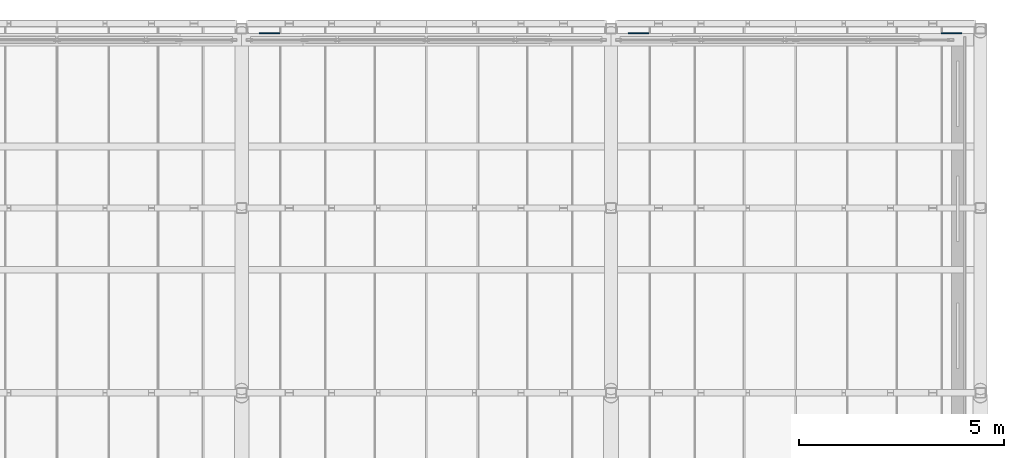
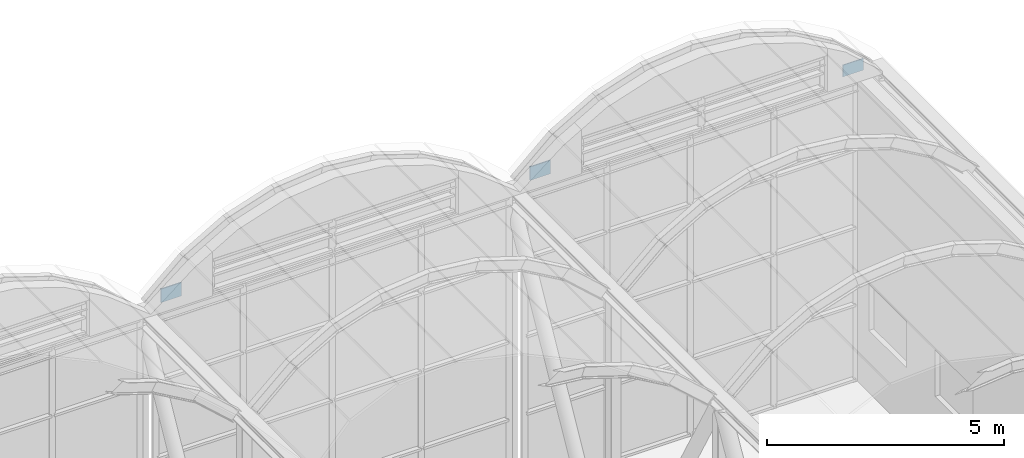
# One storey, part 142 of 144: 3 discrete accessories.
"""IFC4 building model written with IfcOpenShell, lengths in metres."""

from ifc_helpers import new_model, si_unit, direction, frame, origin, place, context, subcontext, project, spatial, polyline, outline, extrude, material, layer, layer_set, type_object, element, save


model = new_model("IFC4")

# Units and contexts
model_context = context("Model", 3, precision=1e-05, world=origin(), true_north=direction((0.0, 1.0)))
body_context = subcontext(model_context, "Body", "Model", "MODEL_VIEW")
ifc_project = project(units=[si_unit("LENGTHUNIT", "METRE"), si_unit("AREAUNIT", "SQUARE_METRE"), si_unit("VOLUMEUNIT", "CUBIC_METRE"), si_unit("PLANEANGLEUNIT", "RADIAN"), si_unit("MASSUNIT", "GRAM", prefix="KILO")], contexts=[model_context])

# Site, building, storey
site_placement = place(None, origin())
site = spatial("IfcSite", under=ifc_project, at=site_placement, CompositionType="ELEMENT")
building_placement = place(site_placement, origin())
building = spatial("IfcBuilding", under=site, at=building_placement, Name="Shorebreak Coast Museum", CompositionType="ELEMENT")
storey_placement = place(building_placement, frame((0.0, 0.0, 36.0)))
storey = spatial("IfcBuildingStorey", under=building, at=storey_placement, Name="L06", CompositionType="ELEMENT", Elevation=36.0)

# Discrete accessories
ifc_material_1 = material(Name="Steel Grade 300", Category="steel")
ifc_layer_1 = layer(ifc_material_1, 0.02490234375)
ifc_layer_set_1 = layer_set([ifc_layer_1], Name="Steel Grade 300")
discrete_accessory_type_1 = type_object("IfcDiscreteAccessoryType", Name="Cast-in plate 500 x 300 x 25", PredefinedType="ANCHORPLATE", material=ifc_layer_set_1)
discrete_accessory_placement = place(storey_placement, frame((116.050048828125, 134.75, 7.8212890625), z_axis=(0.0, -1.0, 0.0), x_axis=(1.0, 0.0, 0.0)))
element("IfcDiscreteAccessory", 1, at=discrete_accessory_placement, inside=storey, type_object=discrete_accessory_type_1, Name="Cast-in plate Transfer truss TR8 chord C12 end 2", PredefinedType="ANCHORPLATE", context=body_context, shape_type="SweptSolid", body=[
    extrude(outline(polyline([(0.0, 0.0), (0.5, 0.0), (0.5, 0.300048828125), (0.0, 0.300048828125), (0.0, 0.0)])), origin(), (0.0, 0.0, -1.0), 0.02490234375),
])
ifc_material_2 = material(Name="Steel Grade 300", Category="steel")
ifc_layer_2 = layer(ifc_material_2, 0.02490234375)
ifc_layer_set_2 = layer_set([ifc_layer_2], Name="Steel Grade 300")
discrete_accessory_type_2 = type_object("IfcDiscreteAccessoryType", Name="Cast-in plate 500 x 350 x 25", PredefinedType="ANCHORPLATE", material=ifc_layer_set_2)
for number, where, z_axis, x_axis, name in (
    (2, (99.425048828125, 134.75, 7.8212890625), (0.0, -1.0, 0.0), (1.0, 0.0, 0.0), "Cast-in plate Transfer truss TR6 chord C12 end 2"),
    (3, (108.425048828125, 134.75, 7.8212890625), (0.0, -1.0, 0.0), (1.0, 0.0, 0.0), "Cast-in plate Transfer truss TR7 chord C12 end 2"),
):
    element("IfcDiscreteAccessory", number, at=place(storey_placement, frame(where, z_axis=z_axis, x_axis=x_axis)), inside=storey, type_object=discrete_accessory_type_2, Name=name, PredefinedType="ANCHORPLATE", context=body_context, shape_type="SweptSolid", body=[
        extrude(outline(polyline([(0.0, 0.0), (0.5, 0.0), (0.5, 0.35009765625), (0.0, 0.35009765625), (0.0, 0.0)])), origin(), (0.0, 0.0, -1.0), 0.02490234375),
    ])

save(model, "model.ifc")
